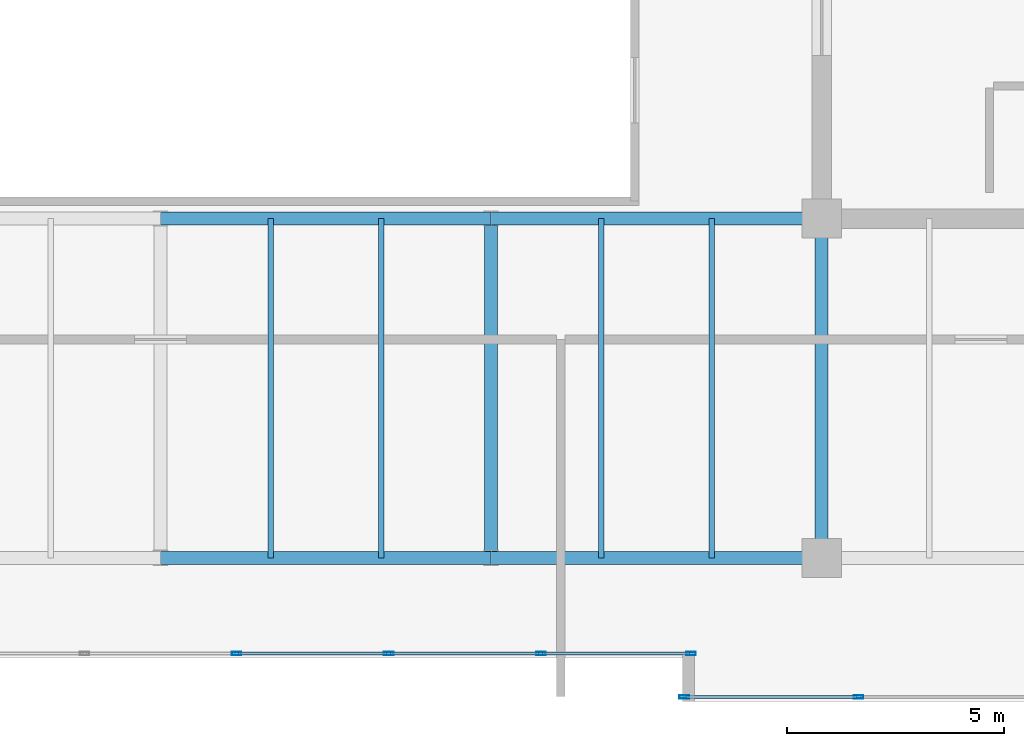
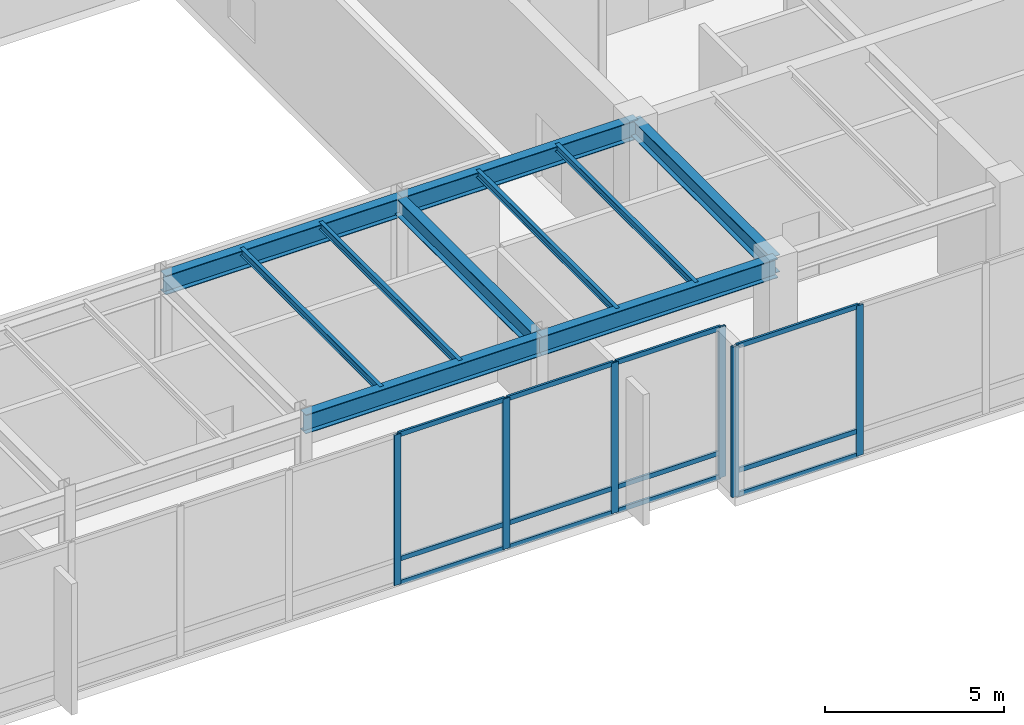
# One storey, part 13 of 30: 18 members, 10 beams, 2 elements without a shape of their own.
"""IFC4 building model written with IfcOpenShell, lengths in metres."""

from ifc_helpers import new_model, si_unit, direction, frame, origin, origin_2d, place, context, subcontext, project, spatial, hollow_rectangle, i_section, extrude, source, transform, mapped, material, layer, layer_set, material_profile, profile_set, type_object, type_shapes, element, aggregate, save


model = new_model("IFC4")

# Units and contexts
model_context = context("Model", 3, precision=1e-05, world=origin(), true_north=direction((0.0, 1.0)))
body_context = subcontext(model_context, "Body", "Model", "MODEL_VIEW")
ifc_project = project(units=[si_unit("LENGTHUNIT", "METRE"), si_unit("AREAUNIT", "SQUARE_METRE"), si_unit("VOLUMEUNIT", "CUBIC_METRE"), si_unit("PLANEANGLEUNIT", "RADIAN"), si_unit("MASSUNIT", "GRAM", prefix="KILO")], contexts=[model_context])

# Site, building, storey
site_placement = place(None, origin())
site = spatial("IfcSite", under=ifc_project, at=site_placement, CompositionType="ELEMENT")
building_placement = place(site_placement, origin())
building = spatial("IfcBuilding", under=site, at=building_placement, Name="Haelvirn Gate Laboratories", CompositionType="ELEMENT")
storey_placement = place(building_placement, frame((0.0, 0.0, 327.0)))
storey = spatial("IfcBuildingStorey", under=building, at=storey_placement, Name="L78", CompositionType="ELEMENT", Elevation=327.0)

# Beams
ifc_material_1 = material(Name="Steel SM355", Category="steel")
ifc_material_profile_1 = material_profile(ifc_material_1, i_section(OverallWidth=0.300048828125, OverallDepth=0.587890625, WebThickness=0.011962890625, FlangeThickness=0.02001953125, at=origin_2d()), Name="H-588x300x12x20")
ifc_profile_set_1 = profile_set([ifc_material_profile_1], Name="Steel SM355")
beam_type_1 = type_object("IfcBeamType", Name="BM-G-588", PredefinedType="BEAM", material=ifc_profile_set_1)
shared_shape_1 = source(origin(), body_context, "Body", "SweptSolid", [
    extrude(i_section(OverallWidth=0.300048828125, OverallDepth=0.587890625, WebThickness=0.011962890625, FlangeThickness=0.02001953125, at=origin_2d()), origin(), (0.0, 0.0, 1.0), 7.800048828125),
])
type_shapes(beam_type_1, [shared_shape_1])
for number, where, z_axis, x_axis, name in (
    (1, (45.0, 7.0, 4.825927734375), (0.0, 1.0, 0.0), (-1.0, 0.0, 0.0), "L78 Frame Girder X45.0 (7.0-14.8)"),
    (2, (52.60009765625, 7.0, 4.825927734375), (0.0, 1.0, 0.0), (-1.0, 0.0, 0.0), "L78 Frame Girder X52.6 (7.0-14.8)"),
):
    element("IfcBeam", number, at=place(storey_placement, frame(where, z_axis=z_axis, x_axis=x_axis)), inside=storey, type_object=beam_type_1, Name=name, PredefinedType="BEAM", context=body_context, shape_type="MappedRepresentation", body=[
        mapped(shared_shape_1, transform((0.0, 0.0, 0.0), scale=1.0)),
    ])
ifc_material_profile_2 = material_profile(ifc_material_1, i_section(OverallWidth=0.300048828125, OverallDepth=0.64990234375, WebThickness=0.012939453125, FlangeThickness=0.02197265625, at=origin_2d()), Name="H-650x300x13x22")
ifc_profile_set_2 = profile_set([ifc_material_profile_2], Name="Steel SM355")
beam_type_2 = type_object("IfcBeamType", Name="BM-G-650", PredefinedType="BEAM", material=ifc_profile_set_2)
shared_shape_2 = source(origin(), body_context, "Body", "SweptSolid", [
    extrude(i_section(OverallWidth=0.300048828125, OverallDepth=0.64990234375, WebThickness=0.012939453125, FlangeThickness=0.02197265625, at=origin_2d()), origin(), (0.0, 0.0, 1.0), 7.60009765625),
])
type_shapes(beam_type_2, [shared_shape_2])
for number, where, z_axis, x_axis, name in (
    (3, (37.39990234375, 7.0, 4.794921875), (1.0, 0.0, 0.0), (0.0, 1.0, 0.0), "L78 Primary Girder Y7.0 (37.4-45.0)"),
    (4, (45.0, 7.0, 4.794921875), (1.0, 0.0, 0.0), (0.0, 1.0, 0.0), "L78 Primary Girder Y7.0 (45.0-52.6)"),
    (5, (37.39990234375, 14.800048828125, 4.794921875), (1.0, 0.0, 0.0), (0.0, 1.0, 0.0), "L78 Primary Girder Y14.8 (37.4-45.0)"),
    (6, (45.0, 14.800048828125, 4.794921875), (1.0, 0.0, 0.0), (0.0, 1.0, 0.0), "L78 Primary Girder Y14.8 (45.0-52.6)"),
):
    element("IfcBeam", number, at=place(storey_placement, frame(where, z_axis=z_axis, x_axis=x_axis)), inside=storey, type_object=beam_type_2, Name=name, PredefinedType="BEAM", context=body_context, shape_type="MappedRepresentation", body=[
        mapped(shared_shape_2, transform((0.0, 0.0, 0.0), scale=1.0)),
    ])
ifc_material_profile_3 = material_profile(ifc_material_1, i_section(OverallWidth=0.125, OverallDepth=0.25, WebThickness=0.006103515625, FlangeThickness=0.009033203125, at=origin_2d()), Name="H-250x125x6x9")
ifc_profile_set_3 = profile_set([ifc_material_profile_3], Name="Steel SM355")
beam_type_3 = type_object("IfcBeamType", Name="BM-J-250", PredefinedType="JOIST", material=ifc_profile_set_3)
shared_shape_3 = source(origin(), body_context, "Body", "SweptSolid", [
    extrude(i_section(OverallWidth=0.125, OverallDepth=0.25, WebThickness=0.006103515625, FlangeThickness=0.009033203125, at=origin_2d()), origin(), (0.0, 0.0, 1.0), 7.800048828125),
])
type_shapes(beam_type_3, [shared_shape_3])
for number, where, z_axis, x_axis, name in (
    (7, (39.929931640625, 7.0, 4.9951171875), (0.0, 1.0, 0.0), (-1.0, 0.0, 0.0), "L78 Composite Lab Joist South X39.93"),
    (8, (42.469970703125, 7.0, 4.9951171875), (0.0, 1.0, 0.0), (-1.0, 0.0, 0.0), "L78 Composite Lab Joist South X42.47"),
    (9, (47.530029296875, 7.0, 4.9951171875), (0.0, 1.0, 0.0), (-1.0, 0.0, 0.0), "L78 Composite Lab Joist South X47.53"),
    (10, (50.070068359375, 7.0, 4.9951171875), (0.0, 1.0, 0.0), (-1.0, 0.0, 0.0), "L78 Composite Lab Joist South X50.07"),
):
    element("IfcBeam", number, at=place(storey_placement, frame(where, z_axis=z_axis, x_axis=x_axis)), inside=storey, type_object=beam_type_3, Name=name, PredefinedType="JOIST", context=body_context, shape_type="MappedRepresentation", body=[
        mapped(shared_shape_3, transform((0.0, 0.0, 0.0), scale=1.0)),
    ])

# Curtain wall, members
ifc_material_2 = material(Name="Anodised bronze unitised aluminium & triple low-E glass", Category="aluminium")
ifc_layer = layer(ifc_material_2, 0.19189453125, Name="CW-SYS-6")
ifc_layer_set = layer_set([ifc_layer], Name="Anodised bronze unitised aluminium & triple low-E glass")
curtain_wall_type = type_object("IfcCurtainWallType", Name="CW-SYS-6", PredefinedType="NOTDEFINED", material=ifc_layer_set)
curtain_wall_1_placement = place(storey_placement, origin())
curtain_wall_1 = element("IfcCurtainWall", 11, at=curtain_wall_1_placement, inside=storey, type_object=curtain_wall_type, Name="L78 Unitised Curtain Wall CW-L78-P0-E02-1", PredefinedType="NOTDEFINED")
ifc_material_3 = material(Name="Extruded aluminium 6063-T6 (anodised bronze)", Category="aluminium")
ifc_material_profile_4 = material_profile(ifc_material_3, hollow_rectangle(XDim=0.080078125, YDim=0.219970703125, WallThickness=0.006103515625, at=origin_2d()), Name="CWM-220x80x6")
ifc_profile_set_4 = profile_set([ifc_material_profile_4], Name="Extruded aluminium 6063-T6 (anodised bronze)")
member_type_1 = type_object("IfcMemberType", Name="CWM-T220", PredefinedType="MULLION", material=ifc_profile_set_4)
shared_shape_4 = source(origin(), body_context, "Body", "SweptSolid", [
    extrude(hollow_rectangle(XDim=0.080078125, YDim=0.219970703125, WallThickness=0.006103515625, at=origin_2d()), origin(), (0.0, 0.0, 1.0), 5.1201171875),
])
type_shapes(member_type_1, [shared_shape_4])
member_1_placement = place(storey_placement, frame((39.148681640625, 4.800048828125, 0.0), z_axis=(0.0, 0.0, 1.0), x_axis=(0.0, 1.0, 0.0)))
member_1 = element("IfcMember", 12, at=member_1_placement, type_object=member_type_1, Name="CW6 mullion 5", PredefinedType="MULLION", context=body_context, shape_type="MappedRepresentation", body=[
    mapped(shared_shape_4, transform((0.0, 0.0, 0.0), scale=1.0)),
])
member_2_placement = place(storey_placement, frame((42.645751953125, 4.800048828125, 0.0), z_axis=(0.0, 0.0, 1.0), x_axis=(0.0, 1.0, 0.0)))
member_2 = element("IfcMember", 13, at=member_2_placement, type_object=member_type_1, Name="CW6 mullion 6", PredefinedType="MULLION", context=body_context, shape_type="MappedRepresentation", body=[
    mapped(shared_shape_4, transform((0.0, 0.0, 0.0), scale=1.0)),
])
member_3_placement = place(storey_placement, frame((46.142822265625, 4.800048828125, 0.0), z_axis=(0.0, 0.0, 1.0), x_axis=(0.0, 1.0, 0.0)))
member_3 = element("IfcMember", 14, at=member_3_placement, type_object=member_type_1, Name="CW6 mullion 7", PredefinedType="MULLION", context=body_context, shape_type="MappedRepresentation", body=[
    mapped(shared_shape_4, transform((0.0, 0.0, 0.0), scale=1.0)),
])
member_4_placement = place(storey_placement, frame((49.60009765625, 4.800048828125, 0.0), z_axis=(0.0, 0.0, 1.0), x_axis=(0.0, 1.0, 0.0)))
member_4 = element("IfcMember", 15, at=member_4_placement, type_object=member_type_1, Name="CW6 mullion 8", PredefinedType="MULLION", context=body_context, shape_type="MappedRepresentation", body=[
    mapped(shared_shape_4, transform((0.0, 0.0, 0.0), scale=1.0)),
])

curtain_wall_2_placement = place(storey_placement, origin())
curtain_wall_2 = element("IfcCurtainWall", 16, at=curtain_wall_2_placement, inside=storey, type_object=curtain_wall_type, Name="L78 Unitised Curtain Wall CW-L78-P0-E04-1", PredefinedType="NOTDEFINED")
member_5_placement = place(storey_placement, frame((49.43994140625, 3.800048828125, 0.0), z_axis=(0.0, 0.0, 1.0), x_axis=(0.0, 1.0, 0.0)))
member_5 = element("IfcMember", 17, at=member_5_placement, type_object=member_type_1, Name="CW6 mullion 1", PredefinedType="MULLION", context=body_context, shape_type="MappedRepresentation", body=[
    mapped(shared_shape_4, transform((0.0, 0.0, 0.0), scale=1.0)),
])
member_6_placement = place(storey_placement, frame((53.449951171875, 3.800048828125, 0.0), z_axis=(0.0, 0.0, 1.0), x_axis=(0.0, 1.0, 0.0)))
member_6 = element("IfcMember", 18, at=member_6_placement, type_object=member_type_1, Name="CW6 mullion 2", PredefinedType="MULLION", context=body_context, shape_type="MappedRepresentation", body=[
    mapped(shared_shape_4, transform((0.0, 0.0, 0.0), scale=1.0)),
])
ifc_material_profile_5 = material_profile(ifc_material_3, hollow_rectangle(XDim=0.070068359375, YDim=0.159912109375, WallThickness=0.0048828125, at=origin_2d()), Name="CWT-160x70x5")
ifc_profile_set_5 = profile_set([ifc_material_profile_5], Name="Extruded aluminium 6063-T6 (anodised bronze)")
member_type_2 = type_object("IfcMemberType", Name="CWT-T160", PredefinedType="USERDEFINED", material=ifc_profile_set_5)
shared_shape_5 = source(origin(), body_context, "Body", "SweptSolid", [
    extrude(hollow_rectangle(XDim=0.070068359375, YDim=0.159912109375, WallThickness=0.0048828125, at=origin_2d()), origin(), (0.0, 0.0, 1.0), 3.929931640625),
])
member_7_placement = place(storey_placement, frame((49.47998046875, 3.800048828125, 0.034912109375), z_axis=(1.0, 0.0, 0.0), x_axis=(0.0, 1.0, 0.0)))
member_7 = element("IfcMember", 19, at=member_7_placement, type_object=member_type_2, Name="CW6 transom 1.1", ObjectType="TRANSOM", PredefinedType="USERDEFINED", context=body_context, shape_type="MappedRepresentation", body=[
    mapped(shared_shape_5, transform((0.0, 0.0, 0.0), scale=1.0)),
])
member_8_placement = place(storey_placement, frame((49.47998046875, 3.800048828125, 0.85009765625), z_axis=(1.0, 0.0, 0.0), x_axis=(0.0, 1.0, 0.0)))
member_8 = element("IfcMember", 20, at=member_8_placement, type_object=member_type_2, Name="CW6 transom 1.2", ObjectType="TRANSOM", PredefinedType="USERDEFINED", context=body_context, shape_type="MappedRepresentation", body=[
    mapped(shared_shape_5, transform((0.0, 0.0, 0.0), scale=1.0)),
])
member_9_placement = place(storey_placement, frame((49.47998046875, 3.800048828125, 5.0849609375), z_axis=(1.0, 0.0, 0.0), x_axis=(0.0, 1.0, 0.0)))
member_9 = element("IfcMember", 21, at=member_9_placement, type_object=member_type_2, Name="CW6 transom 1.3", ObjectType="TRANSOM", PredefinedType="USERDEFINED", context=body_context, shape_type="MappedRepresentation", body=[
    mapped(shared_shape_5, transform((0.0, 0.0, 0.0), scale=1.0)),
])
aggregate(curtain_wall_2, [member_5, member_6, member_7, member_8, member_9])

# Member
shared_shape_6 = source(origin(), body_context, "Body", "SweptSolid", [
    extrude(hollow_rectangle(XDim=0.070068359375, YDim=0.159912109375, WallThickness=0.0048828125, at=origin_2d()), origin(), (0.0, 0.0, 1.0), 3.377197265625),
])
member_10_placement = place(storey_placement, frame((46.182861328125, 4.800048828125, 0.034912109375), z_axis=(1.0, 0.0, 0.0), x_axis=(0.0, 1.0, 0.0)))
member_10 = element("IfcMember", 22, at=member_10_placement, type_object=member_type_2, Name="CW6 transom 7.1", ObjectType="TRANSOM", PredefinedType="USERDEFINED", context=body_context, shape_type="MappedRepresentation", body=[
    mapped(shared_shape_6, transform((0.0, 0.0, 0.0), scale=1.0)),
])

member_11_placement = place(storey_placement, frame((46.182861328125, 4.800048828125, 0.85009765625), z_axis=(1.0, 0.0, 0.0), x_axis=(0.0, 1.0, 0.0)))
member_11 = element("IfcMember", 23, at=member_11_placement, type_object=member_type_2, Name="CW6 transom 7.2", ObjectType="TRANSOM", PredefinedType="USERDEFINED", context=body_context, shape_type="MappedRepresentation", body=[
    mapped(shared_shape_6, transform((0.0, 0.0, 0.0), scale=1.0)),
])

member_12_placement = place(storey_placement, frame((46.182861328125, 4.800048828125, 5.0849609375), z_axis=(1.0, 0.0, 0.0), x_axis=(0.0, 1.0, 0.0)))
member_12 = element("IfcMember", 24, at=member_12_placement, type_object=member_type_2, Name="CW6 transom 7.3", ObjectType="TRANSOM", PredefinedType="USERDEFINED", context=body_context, shape_type="MappedRepresentation", body=[
    mapped(shared_shape_6, transform((0.0, 0.0, 0.0), scale=1.0)),
])

shared_shape_7 = source(origin(), body_context, "Body", "SweptSolid", [
    extrude(hollow_rectangle(XDim=0.070068359375, YDim=0.159912109375, WallThickness=0.0048828125, at=origin_2d()), origin(), (0.0, 0.0, 1.0), 3.417236328125),
])
member_13_placement = place(storey_placement, frame((39.1884765625, 4.800048828125, 0.034912109375), z_axis=(1.0, 0.0, 0.0), x_axis=(0.0, 1.0, 0.0)))
member_13 = element("IfcMember", 25, at=member_13_placement, type_object=member_type_2, Name="CW6 transom 5.1", ObjectType="TRANSOM", PredefinedType="USERDEFINED", context=body_context, shape_type="MappedRepresentation", body=[
    mapped(shared_shape_7, transform((0.0, 0.0, 0.0), scale=1.0)),
])

member_14_placement = place(storey_placement, frame((39.1884765625, 4.800048828125, 0.85009765625), z_axis=(1.0, 0.0, 0.0), x_axis=(0.0, 1.0, 0.0)))
member_14 = element("IfcMember", 26, at=member_14_placement, type_object=member_type_2, Name="CW6 transom 5.2", ObjectType="TRANSOM", PredefinedType="USERDEFINED", context=body_context, shape_type="MappedRepresentation", body=[
    mapped(shared_shape_7, transform((0.0, 0.0, 0.0), scale=1.0)),
])

member_15_placement = place(storey_placement, frame((39.1884765625, 4.800048828125, 5.0849609375), z_axis=(1.0, 0.0, 0.0), x_axis=(0.0, 1.0, 0.0)))
member_15 = element("IfcMember", 27, at=member_15_placement, type_object=member_type_2, Name="CW6 transom 5.3", ObjectType="TRANSOM", PredefinedType="USERDEFINED", context=body_context, shape_type="MappedRepresentation", body=[
    mapped(shared_shape_7, transform((0.0, 0.0, 0.0), scale=1.0)),
])

shared_shape_8 = source(origin(), body_context, "Body", "SweptSolid", [
    extrude(hollow_rectangle(XDim=0.070068359375, YDim=0.159912109375, WallThickness=0.0048828125, at=origin_2d()), origin(), (0.0, 0.0, 1.0), 3.4169921875),
])
type_shapes(member_type_2, [shared_shape_5, shared_shape_6, shared_shape_7, shared_shape_8])
member_16_placement = place(storey_placement, frame((42.685791015625, 4.800048828125, 0.034912109375), z_axis=(1.0, 0.0, 0.0), x_axis=(0.0, 1.0, 0.0)))
member_16 = element("IfcMember", 28, at=member_16_placement, type_object=member_type_2, Name="CW6 transom 6.1", ObjectType="TRANSOM", PredefinedType="USERDEFINED", context=body_context, shape_type="MappedRepresentation", body=[
    mapped(shared_shape_8, transform((0.0, 0.0, 0.0), scale=1.0)),
])

member_17_placement = place(storey_placement, frame((42.685791015625, 4.800048828125, 0.85009765625), z_axis=(1.0, 0.0, 0.0), x_axis=(0.0, 1.0, 0.0)))
member_17 = element("IfcMember", 29, at=member_17_placement, type_object=member_type_2, Name="CW6 transom 6.2", ObjectType="TRANSOM", PredefinedType="USERDEFINED", context=body_context, shape_type="MappedRepresentation", body=[
    mapped(shared_shape_8, transform((0.0, 0.0, 0.0), scale=1.0)),
])

member_18_placement = place(storey_placement, frame((42.685791015625, 4.800048828125, 5.0849609375), z_axis=(1.0, 0.0, 0.0), x_axis=(0.0, 1.0, 0.0)))
member_18 = element("IfcMember", 30, at=member_18_placement, type_object=member_type_2, Name="CW6 transom 6.3", ObjectType="TRANSOM", PredefinedType="USERDEFINED", context=body_context, shape_type="MappedRepresentation", body=[
    mapped(shared_shape_8, transform((0.0, 0.0, 0.0), scale=1.0)),
])

aggregate(curtain_wall_1, [member_1, member_2, member_3, member_4, member_13, member_14, member_15, member_16, member_17, member_18, member_10, member_11, member_12])

save(model, "model.ifc")
